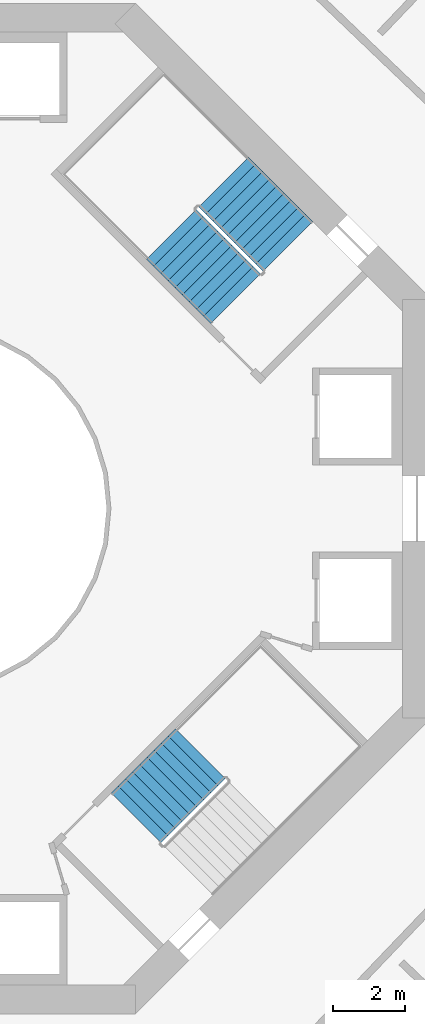
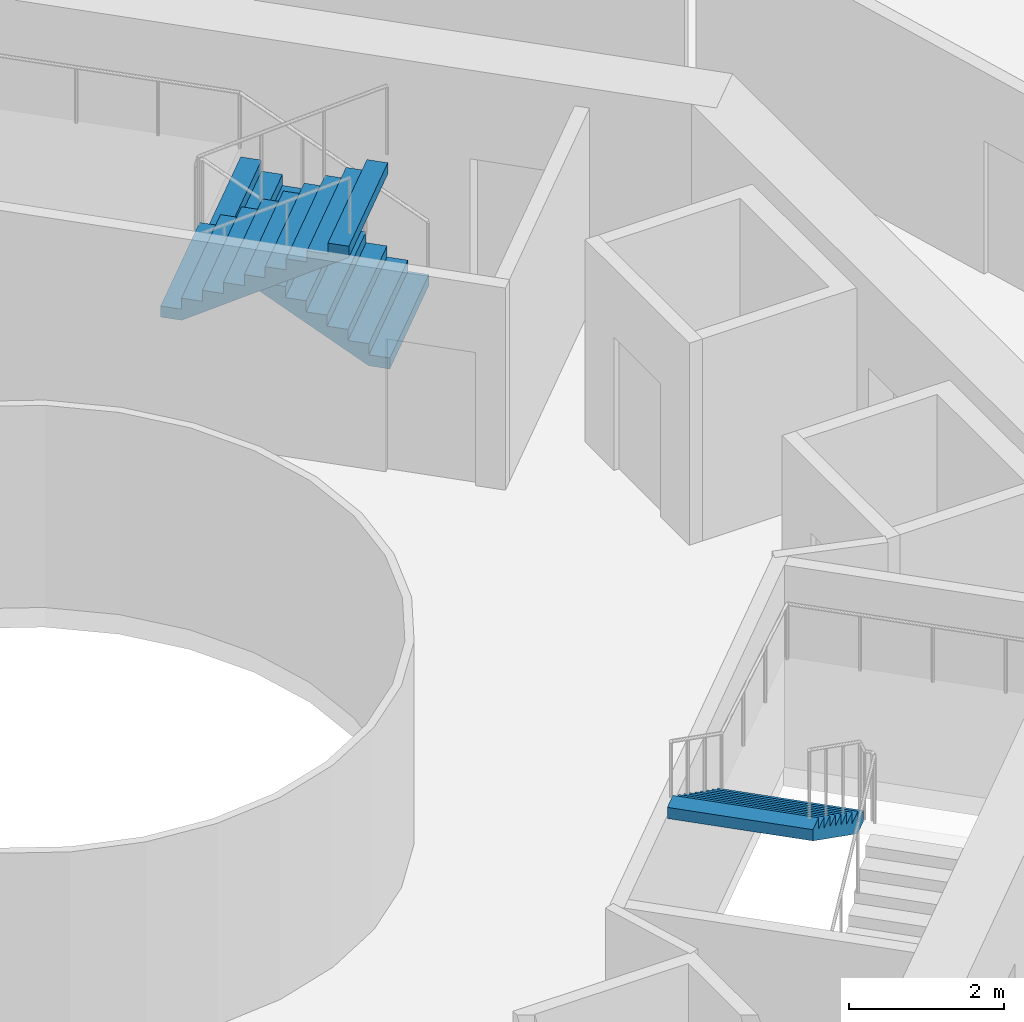
# One storey, part 24 of 25: 3 stair flights, 2 elements without a shape of their own.
"""IFC4 building model written with IfcOpenShell, lengths in metres."""

from ifc_helpers import new_model, si_unit, direction, frame, origin, place, context, subcontext, project, spatial, triangles, material, type_object, element, aggregate, save


model = new_model("IFC4")

# Units and contexts
model_context = context("Model", 3, precision=1e-05, world=origin(), true_north=direction((0.0, 1.0)))
body_context = subcontext(model_context, "Body", "Model", "MODEL_VIEW")
ifc_project = project(units=[si_unit("LENGTHUNIT", "METRE"), si_unit("AREAUNIT", "SQUARE_METRE"), si_unit("VOLUMEUNIT", "CUBIC_METRE"), si_unit("PLANEANGLEUNIT", "RADIAN"), si_unit("MASSUNIT", "GRAM", prefix="KILO")], contexts=[model_context])

# Site, building, storey
site_placement = place(None, origin())
site = spatial("IfcSite", under=ifc_project, at=site_placement, CompositionType="ELEMENT")
building_placement = place(site_placement, origin())
building = spatial("IfcBuilding", under=site, at=building_placement, Name="Verdalira Terraces Hotel", CompositionType="ELEMENT")
storey_placement = place(building_placement, frame((0.0, 0.0, 100.0)))
storey = spatial("IfcBuildingStorey", under=building, at=storey_placement, Name="L23", CompositionType="ELEMENT", Elevation=100.0)

# Stair, stair flights
ifc_material_1 = material(Name="Concrete C40", Category="concrete")
stair_type = type_object("IfcStairType", Name="Core stair 20 risers 1950 mm wide", PredefinedType="HALF_TURN_STAIR", material=ifc_material_1)
stair_1_placement = place(storey_placement, origin())
stair_1 = element("IfcStair", 1, at=stair_1_placement, inside=storey, type_object=stair_type, Name="L23 Exit stair ST1", PredefinedType="HALF_TURN_STAIR")
ifc_material_2 = material(Name="Concrete C40", Category="concrete")
stair_flight_type = type_object("IfcStairFlightType", Name="Core stair flight 20 risers 1950 mm wide", PredefinedType="STRAIGHT", material=ifc_material_2)
stair_flight_1_placement = place(storey_placement, frame((10.023193, 7.265625, 0.0), z_axis=(0.0, 0.0, 1.0), x_axis=(-0.707106781, 0.707106781, 0.0)))
stair_flight_1 = element("IfcStairFlight", 2, at=stair_flight_1_placement, type_object=stair_flight_type, Name="ST1 flight 1", NumberOfRisers=10, NumberOfTreads=9, PredefinedType="STRAIGHT", RiserHeight=0.175, TreadLength=0.28, context=body_context, shape_type="Tessellation", body=[
    triangles([(0.0, 0.974976, 0.0), (0.282715, 0.974976, 0.0), (2.52002, 0.974976, 1.398193), (0.0, -0.974976, 0.0), (0.282715, -0.974976, 0.0), (2.52002, -0.974976, 1.398193), (2.52002, 0.974976, 1.574951), (2.23999, 0.974976, 1.574951), (2.52002, -0.974976, 1.574951), (2.23999, -0.974976, 1.574951), (2.23999, 0.974976, 1.399902), (2.23999, -0.974976, 1.399902), (1.959961, 0.974976, 1.399902), (1.959961, -0.974976, 1.399902), (1.959961, 0.974976, 1.225098), (1.959961, -0.974976, 1.225098), (1.679932, 0.974976, 1.225098), (1.679932, 0.974976, 1.050049), (1.679932, -0.974976, 1.225098), (1.679932, -0.974976, 1.050049), (1.399902, 0.974976, 1.050049), (1.399902, 0.974976, 0.875), (1.399902, -0.974976, 1.050049), (1.399902, -0.974976, 0.875), (1.120117, 0.974976, 0.875), (1.120117, 0.974976, 0.699951), (1.120117, -0.974976, 0.875), (1.120117, -0.974976, 0.699951), (0.840088, 0.974976, 0.699951), (0.840088, 0.974976, 0.524902), (0.840088, -0.974976, 0.699951), (0.840088, -0.974976, 0.524902), (0.560059, 0.974976, 0.524902), (0.560059, 0.974976, 0.350098), (0.560059, -0.974976, 0.524902), (0.560059, -0.974976, 0.350098), (0.280029, 0.974976, 0.350098), (0.280029, 0.974976, 0.175049), (0.280029, -0.974976, 0.350098), (0.280029, -0.974976, 0.175049), (0.0, 0.974976, 0.175049), (0.0, -0.974976, 0.175049), (0.0, -0.91404, 0.0), (0.0, -0.91404, 0.175049), (0.0, -0.853104, 0.0), (0.0, -0.853104, 0.175049), (0.0, -0.792168, 0.0), (0.0, -0.792168, 0.175049), (0.0, -0.731232, 0.0), (0.0, -0.731232, 0.175049), (0.0, -0.670296, 0.0), (0.0, -0.670296, 0.175049), (0.0, -0.60936, 0.0), (0.0, -0.60936, 0.175049), (0.0, -0.548424, 0.0), (0.0, -0.548424, 0.175049), (0.0, -0.487488, 0.0), (0.0, -0.487488, 0.175049), (0.0, -0.426552, 0.0), (0.0, -0.426552, 0.175049), (0.0, -0.365616, 0.0), (0.0, -0.365616, 0.175049), (0.0, -0.30468, 0.0), (0.0, -0.30468, 0.175049), (0.0, -0.243744, 0.0), (0.0, -0.243744, 0.175049), (0.0, -0.182808, 0.0), (0.0, -0.182808, 0.175049), (0.0, -0.121872, 0.0), (0.0, -0.121872, 0.175049), (0.0, -0.060936, 0.0), (0.0, -0.060936, 0.175049), (0.0, 0.0, 0.0), (0.0, 0.0, 0.175049), (0.0, 0.060936, 0.0), (0.0, 0.060936, 0.175049), (0.0, 0.121872, 0.0), (0.0, 0.121872, 0.175049), (0.0, 0.182808, 0.0), (0.0, 0.182808, 0.175049), (0.0, 0.243744, 0.0), (0.0, 0.243744, 0.175049), (0.0, 0.30468, 0.0), (0.0, 0.30468, 0.175049), (0.0, 0.365616, 0.0), (0.0, 0.365616, 0.175049), (0.0, 0.426552, 0.0), (0.0, 0.426552, 0.175049), (0.0, 0.487488, 0.0), (0.0, 0.487488, 0.175049), (0.0, 0.548424, 0.0), (0.0, 0.548424, 0.175049), (0.0, 0.60936, 0.0), (0.0, 0.60936, 0.175049), (0.0, 0.670296, 0.0), (0.0, 0.670296, 0.175049), (0.0, 0.731232, 0.0), (0.0, 0.731232, 0.175049), (0.0, 0.792168, 0.0), (0.0, 0.792168, 0.175049), (0.0, 0.853104, 0.0), (0.0, 0.853104, 0.175049), (0.0, 0.91404, 0.0), (0.0, 0.91404, 0.175049), (2.52002, -0.91404, 1.574951), (2.52002, -0.853104, 1.574951), (2.52002, -0.792168, 1.574951), (2.52002, -0.731232, 1.574951), (2.52002, -0.670296, 1.574951), (2.52002, -0.60936, 1.574951), (2.52002, -0.548424, 1.574951), (2.52002, -0.487488, 1.574951), (2.52002, -0.426552, 1.574951), (2.52002, -0.365616, 1.574951), (2.52002, -0.30468, 1.574951), (2.52002, -0.243744, 1.574951), (2.52002, -0.182808, 1.574951), (2.52002, -0.121872, 1.574951), (2.52002, -0.060936, 1.574951), (2.52002, 0.0, 1.574951), (2.52002, 0.060936, 1.574951), (2.52002, 0.121872, 1.574951), (2.52002, 0.182808, 1.574951), (2.52002, 0.243744, 1.574951), (2.52002, 0.30468, 1.574951), (2.52002, 0.365616, 1.574951), (2.52002, 0.426552, 1.574951), (2.52002, 0.487488, 1.574951), (2.52002, 0.548424, 1.574951), (2.52002, 0.60936, 1.574951), (2.52002, 0.670296, 1.574951), (2.52002, 0.731232, 1.574951), (2.52002, 0.792168, 1.574951), (2.52002, 0.853104, 1.574951), (2.52002, 0.91404, 1.574951), (2.52002, -0.91404, 1.398193), (2.52002, -0.853104, 1.398193), (2.52002, -0.792168, 1.398193), (2.52002, -0.731232, 1.398193), (2.52002, -0.670296, 1.398193), (2.52002, -0.60936, 1.398193), (2.52002, -0.548424, 1.398193), (2.52002, -0.487488, 1.398193), (2.52002, -0.426552, 1.398193), (2.52002, -0.365616, 1.398193), (2.52002, -0.30468, 1.398193), (2.52002, -0.243744, 1.398193), (2.52002, -0.182808, 1.398193), (2.52002, -0.121872, 1.398193), (2.52002, -0.060936, 1.398193), (2.52002, 0.0, 1.398193), (2.52002, 0.060936, 1.398193), (2.52002, 0.121872, 1.398193), (2.52002, 0.182808, 1.398193), (2.52002, 0.243744, 1.398193), (2.52002, 0.30468, 1.398193), (2.52002, 0.365616, 1.398193), (2.52002, 0.426552, 1.398193), (2.52002, 0.487488, 1.398193), (2.52002, 0.548424, 1.398193), (2.52002, 0.60936, 1.398193), (2.52002, 0.670296, 1.398193), (2.52002, 0.731232, 1.398193), (2.52002, 0.792168, 1.398193), (2.52002, 0.853104, 1.398193), (2.52002, 0.91404, 1.398193)], [[1, 3, 2], [4, 5, 6], [3, 8, 7], [6, 9, 10], [3, 11, 8], [6, 10, 12], [3, 13, 11], [6, 12, 14], [3, 15, 13], [6, 14, 16], [15, 18, 17], [16, 19, 20], [3, 18, 15], [6, 16, 20], [18, 22, 21], [20, 23, 24], [3, 22, 18], [6, 20, 24], [22, 26, 25], [24, 27, 28], [3, 26, 22], [6, 24, 28], [26, 30, 29], [28, 31, 32], [3, 30, 26], [6, 28, 32], [1, 30, 3], [4, 6, 32], [30, 34, 33], [32, 35, 36], [34, 38, 37], [36, 39, 40], [30, 38, 34], [32, 36, 40], [1, 38, 30], [4, 32, 40], [38, 1, 41], [40, 42, 4], [4, 44, 43], [4, 42, 44], [43, 46, 45], [43, 44, 46], [45, 48, 47], [45, 46, 48], [47, 50, 49], [47, 48, 50], [49, 52, 51], [49, 50, 52], [51, 54, 53], [51, 52, 54], [53, 56, 55], [53, 54, 56], [55, 58, 57], [55, 56, 58], [57, 60, 59], [57, 58, 60], [59, 62, 61], [59, 60, 62], [61, 64, 63], [61, 62, 64], [63, 66, 65], [63, 64, 66], [65, 68, 67], [65, 66, 68], [67, 70, 69], [67, 68, 70], [69, 72, 71], [69, 70, 72], [71, 74, 73], [71, 72, 74], [73, 76, 75], [73, 74, 76], [75, 78, 77], [75, 76, 78], [77, 80, 79], [77, 78, 80], [79, 82, 81], [79, 80, 82], [81, 84, 83], [81, 82, 84], [83, 86, 85], [83, 84, 86], [85, 88, 87], [85, 86, 88], [87, 90, 89], [87, 88, 90], [89, 92, 91], [89, 90, 92], [91, 94, 93], [91, 92, 94], [93, 96, 95], [93, 94, 96], [95, 98, 97], [95, 96, 98], [97, 100, 99], [97, 98, 100], [99, 102, 101], [99, 100, 102], [101, 104, 103], [101, 102, 104], [103, 41, 1], [103, 104, 41], [42, 40, 44], [44, 40, 46], [46, 40, 48], [48, 40, 50], [50, 40, 52], [52, 40, 54], [54, 40, 56], [56, 40, 58], [58, 40, 60], [60, 40, 62], [62, 40, 64], [64, 40, 66], [66, 40, 68], [68, 40, 70], [70, 40, 72], [72, 40, 74], [74, 40, 76], [76, 40, 78], [78, 40, 80], [80, 40, 82], [82, 40, 84], [84, 40, 86], [86, 40, 88], [88, 40, 90], [90, 40, 92], [92, 40, 94], [94, 40, 96], [96, 40, 98], [98, 40, 100], [100, 40, 102], [102, 40, 104], [104, 40, 41], [41, 40, 38], [40, 37, 38], [40, 39, 37], [39, 34, 37], [39, 36, 34], [36, 33, 34], [36, 35, 33], [35, 30, 33], [35, 32, 30], [32, 29, 30], [32, 31, 29], [31, 26, 29], [31, 28, 26], [28, 25, 26], [28, 27, 25], [27, 22, 25], [27, 24, 22], [24, 21, 22], [24, 23, 21], [23, 18, 21], [23, 20, 18], [20, 17, 18], [20, 19, 17], [19, 15, 17], [19, 16, 15], [16, 13, 15], [16, 14, 13], [14, 11, 13], [14, 12, 11], [12, 8, 11], [12, 10, 8], [9, 105, 10], [105, 106, 10], [106, 107, 10], [107, 108, 10], [108, 109, 10], [109, 110, 10], [110, 111, 10], [111, 112, 10], [112, 113, 10], [113, 114, 10], [114, 115, 10], [115, 116, 10], [116, 117, 10], [117, 118, 10], [118, 119, 10], [119, 120, 10], [120, 121, 10], [121, 122, 10], [122, 123, 10], [123, 124, 10], [124, 125, 10], [125, 126, 10], [126, 127, 10], [127, 128, 10], [128, 129, 10], [129, 130, 10], [130, 131, 10], [131, 132, 10], [132, 133, 10], [133, 134, 10], [134, 135, 10], [135, 7, 10], [7, 8, 10], [9, 136, 105], [9, 6, 136], [105, 137, 106], [105, 136, 137], [106, 138, 107], [106, 137, 138], [107, 139, 108], [107, 138, 139], [108, 140, 109], [108, 139, 140], [109, 141, 110], [109, 140, 141], [110, 142, 111], [110, 141, 142], [111, 143, 112], [111, 142, 143], [112, 144, 113], [112, 143, 144], [113, 145, 114], [113, 144, 145], [114, 146, 115], [114, 145, 146], [115, 147, 116], [115, 146, 147], [116, 148, 117], [116, 147, 148], [117, 149, 118], [117, 148, 149], [118, 150, 119], [118, 149, 150], [119, 151, 120], [119, 150, 151], [120, 152, 121], [120, 151, 152], [121, 153, 122], [121, 152, 153], [122, 154, 123], [122, 153, 154], [123, 155, 124], [123, 154, 155], [124, 156, 125], [124, 155, 156], [125, 157, 126], [125, 156, 157], [126, 158, 127], [126, 157, 158], [127, 159, 128], [127, 158, 159], [128, 160, 129], [128, 159, 160], [129, 161, 130], [129, 160, 161], [130, 162, 131], [130, 161, 162], [131, 163, 132], [131, 162, 163], [132, 164, 133], [132, 163, 164], [133, 165, 134], [133, 164, 165], [134, 166, 135], [134, 165, 166], [135, 3, 7], [135, 166, 3], [6, 5, 136], [136, 5, 137], [137, 5, 138], [138, 5, 139], [139, 5, 140], [140, 5, 141], [141, 5, 142], [142, 5, 143], [143, 5, 144], [144, 5, 145], [145, 5, 146], [146, 5, 147], [147, 5, 148], [148, 5, 149], [149, 5, 150], [150, 5, 151], [151, 5, 152], [152, 5, 153], [153, 5, 154], [154, 5, 155], [155, 5, 156], [156, 5, 157], [157, 5, 158], [158, 5, 159], [159, 5, 160], [160, 5, 161], [161, 5, 162], [162, 5, 163], [163, 5, 164], [164, 5, 165], [165, 5, 166], [166, 5, 3], [3, 5, 2], [4, 43, 5], [43, 45, 5], [45, 47, 5], [47, 49, 5], [49, 51, 5], [51, 53, 5], [53, 55, 5], [55, 57, 5], [57, 59, 5], [59, 61, 5], [61, 63, 5], [63, 65, 5], [65, 67, 5], [67, 69, 5], [69, 71, 5], [71, 73, 5], [73, 75, 5], [75, 77, 5], [77, 79, 5], [79, 81, 5], [81, 83, 5], [83, 85, 5], [85, 87, 5], [87, 89, 5], [89, 91, 5], [91, 93, 5], [93, 95, 5], [95, 97, 5], [97, 99, 5], [99, 101, 5], [101, 103, 5], [103, 1, 5], [1, 2, 5]], closed=True),
])
stair_flight_2_placement = place(storey_placement, frame((6.791748, 7.5979, 1.75), z_axis=(0.0, 0.0, 1.0), x_axis=(0.707106781, -0.707106781, 0.0)))
stair_flight_2 = element("IfcStairFlight", 3, at=stair_flight_2_placement, type_object=stair_flight_type, Name="ST1 flight 2", NumberOfRisers=10, NumberOfTreads=9, PredefinedType="STRAIGHT", RiserHeight=0.175, TreadLength=0.28, context=body_context, shape_type="Tessellation", body=[
    triangles([(0.0, 0.974976, 0.0), (0.282715, 0.974976, 0.0), (2.52002, 0.974976, 1.398193), (0.0, -0.974976, 0.0), (0.282715, -0.974976, 0.0), (2.52002, -0.974976, 1.398193), (2.52002, 0.974976, 1.574951), (2.23999, 0.974976, 1.574951), (2.52002, -0.974976, 1.574951), (2.23999, -0.974976, 1.574951), (2.23999, 0.974976, 1.399902), (2.23999, -0.974976, 1.399902), (1.959961, 0.974976, 1.399902), (1.959961, -0.974976, 1.399902), (1.959961, 0.974976, 1.225098), (1.959961, -0.974976, 1.225098), (1.679932, 0.974976, 1.225098), (1.679932, 0.974976, 1.050049), (1.679932, -0.974976, 1.225098), (1.679932, -0.974976, 1.050049), (1.399902, 0.974976, 1.050049), (1.399902, 0.974976, 0.875), (1.399902, -0.974976, 1.050049), (1.399902, -0.974976, 0.875), (1.120117, 0.974976, 0.875), (1.120117, 0.974976, 0.699951), (1.120117, -0.974976, 0.875), (1.120117, -0.974976, 0.699951), (0.840088, 0.974976, 0.699951), (0.840088, 0.974976, 0.524902), (0.840088, -0.974976, 0.699951), (0.840088, -0.974976, 0.524902), (0.560059, 0.974976, 0.524902), (0.560059, 0.974976, 0.350098), (0.560059, -0.974976, 0.524902), (0.560059, -0.974976, 0.350098), (0.280029, 0.974976, 0.350098), (0.280029, 0.974976, 0.175049), (0.280029, -0.974976, 0.350098), (0.280029, -0.974976, 0.175049), (0.0, 0.974976, 0.175049), (0.0, -0.974976, 0.175049), (0.0, -0.91404, 0.0), (0.0, -0.91404, 0.175049), (0.0, -0.853104, 0.0), (0.0, -0.853104, 0.175049), (0.0, -0.792168, 0.0), (0.0, -0.792168, 0.175049), (0.0, -0.731232, 0.0), (0.0, -0.731232, 0.175049), (0.0, -0.670296, 0.0), (0.0, -0.670296, 0.175049), (0.0, -0.60936, 0.0), (0.0, -0.60936, 0.175049), (0.0, -0.548424, 0.0), (0.0, -0.548424, 0.175049), (0.0, -0.487488, 0.0), (0.0, -0.487488, 0.175049), (0.0, -0.426552, 0.0), (0.0, -0.426552, 0.175049), (0.0, -0.365616, 0.0), (0.0, -0.365616, 0.175049), (0.0, -0.30468, 0.0), (0.0, -0.30468, 0.175049), (0.0, -0.243744, 0.0), (0.0, -0.243744, 0.175049), (0.0, -0.182808, 0.0), (0.0, -0.182808, 0.175049), (0.0, -0.121872, 0.0), (0.0, -0.121872, 0.175049), (0.0, -0.060936, 0.0), (0.0, -0.060936, 0.175049), (0.0, 0.0, 0.0), (0.0, 0.0, 0.175049), (0.0, 0.060936, 0.0), (0.0, 0.060936, 0.175049), (0.0, 0.121872, 0.0), (0.0, 0.121872, 0.175049), (0.0, 0.182808, 0.0), (0.0, 0.182808, 0.175049), (0.0, 0.243744, 0.0), (0.0, 0.243744, 0.175049), (0.0, 0.30468, 0.0), (0.0, 0.30468, 0.175049), (0.0, 0.365616, 0.0), (0.0, 0.365616, 0.175049), (0.0, 0.426552, 0.0), (0.0, 0.426552, 0.175049), (0.0, 0.487488, 0.0), (0.0, 0.487488, 0.175049), (0.0, 0.548424, 0.0), (0.0, 0.548424, 0.175049), (0.0, 0.60936, 0.0), (0.0, 0.60936, 0.175049), (0.0, 0.670296, 0.0), (0.0, 0.670296, 0.175049), (0.0, 0.731232, 0.0), (0.0, 0.731232, 0.175049), (0.0, 0.792168, 0.0), (0.0, 0.792168, 0.175049), (0.0, 0.853104, 0.0), (0.0, 0.853104, 0.175049), (0.0, 0.91404, 0.0), (0.0, 0.91404, 0.175049), (2.52002, -0.91404, 1.574951), (2.52002, -0.853104, 1.574951), (2.52002, -0.792168, 1.574951), (2.52002, -0.731232, 1.574951), (2.52002, -0.670296, 1.574951), (2.52002, -0.60936, 1.574951), (2.52002, -0.548424, 1.574951), (2.52002, -0.487488, 1.574951), (2.52002, -0.426552, 1.574951), (2.52002, -0.365616, 1.574951), (2.52002, -0.30468, 1.574951), (2.52002, -0.243744, 1.574951), (2.52002, -0.182808, 1.574951), (2.52002, -0.121872, 1.574951), (2.52002, -0.060936, 1.574951), (2.52002, 0.0, 1.574951), (2.52002, 0.060936, 1.574951), (2.52002, 0.121872, 1.574951), (2.52002, 0.182808, 1.574951), (2.52002, 0.243744, 1.574951), (2.52002, 0.30468, 1.574951), (2.52002, 0.365616, 1.574951), (2.52002, 0.426552, 1.574951), (2.52002, 0.487488, 1.574951), (2.52002, 0.548424, 1.574951), (2.52002, 0.60936, 1.574951), (2.52002, 0.670296, 1.574951), (2.52002, 0.731232, 1.574951), (2.52002, 0.792168, 1.574951), (2.52002, 0.853104, 1.574951), (2.52002, 0.91404, 1.574951), (2.52002, -0.91404, 1.398193), (2.52002, -0.853104, 1.398193), (2.52002, -0.792168, 1.398193), (2.52002, -0.731232, 1.398193), (2.52002, -0.670296, 1.398193), (2.52002, -0.60936, 1.398193), (2.52002, -0.548424, 1.398193), (2.52002, -0.487488, 1.398193), (2.52002, -0.426552, 1.398193), (2.52002, -0.365616, 1.398193), (2.52002, -0.30468, 1.398193), (2.52002, -0.243744, 1.398193), (2.52002, -0.182808, 1.398193), (2.52002, -0.121872, 1.398193), (2.52002, -0.060936, 1.398193), (2.52002, 0.0, 1.398193), (2.52002, 0.060936, 1.398193), (2.52002, 0.121872, 1.398193), (2.52002, 0.182808, 1.398193), (2.52002, 0.243744, 1.398193), (2.52002, 0.30468, 1.398193), (2.52002, 0.365616, 1.398193), (2.52002, 0.426552, 1.398193), (2.52002, 0.487488, 1.398193), (2.52002, 0.548424, 1.398193), (2.52002, 0.60936, 1.398193), (2.52002, 0.670296, 1.398193), (2.52002, 0.731232, 1.398193), (2.52002, 0.792168, 1.398193), (2.52002, 0.853104, 1.398193), (2.52002, 0.91404, 1.398193)], [[1, 3, 2], [4, 5, 6], [3, 8, 7], [6, 9, 10], [3, 11, 8], [6, 10, 12], [3, 13, 11], [6, 12, 14], [3, 15, 13], [6, 14, 16], [15, 18, 17], [16, 19, 20], [3, 18, 15], [6, 16, 20], [18, 22, 21], [20, 23, 24], [3, 22, 18], [6, 20, 24], [22, 26, 25], [24, 27, 28], [3, 26, 22], [6, 24, 28], [26, 30, 29], [28, 31, 32], [3, 30, 26], [6, 28, 32], [1, 30, 3], [4, 6, 32], [30, 34, 33], [32, 35, 36], [34, 38, 37], [36, 39, 40], [30, 38, 34], [32, 36, 40], [1, 38, 30], [4, 32, 40], [38, 1, 41], [40, 42, 4], [4, 44, 43], [4, 42, 44], [43, 46, 45], [43, 44, 46], [45, 48, 47], [45, 46, 48], [47, 50, 49], [47, 48, 50], [49, 52, 51], [49, 50, 52], [51, 54, 53], [51, 52, 54], [53, 56, 55], [53, 54, 56], [55, 58, 57], [55, 56, 58], [57, 60, 59], [57, 58, 60], [59, 62, 61], [59, 60, 62], [61, 64, 63], [61, 62, 64], [63, 66, 65], [63, 64, 66], [65, 68, 67], [65, 66, 68], [67, 70, 69], [67, 68, 70], [69, 72, 71], [69, 70, 72], [71, 74, 73], [71, 72, 74], [73, 76, 75], [73, 74, 76], [75, 78, 77], [75, 76, 78], [77, 80, 79], [77, 78, 80], [79, 82, 81], [79, 80, 82], [81, 84, 83], [81, 82, 84], [83, 86, 85], [83, 84, 86], [85, 88, 87], [85, 86, 88], [87, 90, 89], [87, 88, 90], [89, 92, 91], [89, 90, 92], [91, 94, 93], [91, 92, 94], [93, 96, 95], [93, 94, 96], [95, 98, 97], [95, 96, 98], [97, 100, 99], [97, 98, 100], [99, 102, 101], [99, 100, 102], [101, 104, 103], [101, 102, 104], [103, 41, 1], [103, 104, 41], [42, 40, 44], [44, 40, 46], [46, 40, 48], [48, 40, 50], [50, 40, 52], [52, 40, 54], [54, 40, 56], [56, 40, 58], [58, 40, 60], [60, 40, 62], [62, 40, 64], [64, 40, 66], [66, 40, 68], [68, 40, 70], [70, 40, 72], [72, 40, 74], [74, 40, 76], [76, 40, 78], [78, 40, 80], [80, 40, 82], [82, 40, 84], [84, 40, 86], [86, 40, 88], [88, 40, 90], [90, 40, 92], [92, 40, 94], [94, 40, 96], [96, 40, 98], [98, 40, 100], [100, 40, 102], [102, 40, 104], [104, 40, 41], [41, 40, 38], [40, 37, 38], [40, 39, 37], [39, 34, 37], [39, 36, 34], [36, 33, 34], [36, 35, 33], [35, 30, 33], [35, 32, 30], [32, 29, 30], [32, 31, 29], [31, 26, 29], [31, 28, 26], [28, 25, 26], [28, 27, 25], [27, 22, 25], [27, 24, 22], [24, 21, 22], [24, 23, 21], [23, 18, 21], [23, 20, 18], [20, 17, 18], [20, 19, 17], [19, 15, 17], [19, 16, 15], [16, 13, 15], [16, 14, 13], [14, 11, 13], [14, 12, 11], [12, 8, 11], [12, 10, 8], [9, 105, 10], [105, 106, 10], [106, 107, 10], [107, 108, 10], [108, 109, 10], [109, 110, 10], [110, 111, 10], [111, 112, 10], [112, 113, 10], [113, 114, 10], [114, 115, 10], [115, 116, 10], [116, 117, 10], [117, 118, 10], [118, 119, 10], [119, 120, 10], [120, 121, 10], [121, 122, 10], [122, 123, 10], [123, 124, 10], [124, 125, 10], [125, 126, 10], [126, 127, 10], [127, 128, 10], [128, 129, 10], [129, 130, 10], [130, 131, 10], [131, 132, 10], [132, 133, 10], [133, 134, 10], [134, 135, 10], [135, 7, 10], [7, 8, 10], [9, 136, 105], [9, 6, 136], [105, 137, 106], [105, 136, 137], [106, 138, 107], [106, 137, 138], [107, 139, 108], [107, 138, 139], [108, 140, 109], [108, 139, 140], [109, 141, 110], [109, 140, 141], [110, 142, 111], [110, 141, 142], [111, 143, 112], [111, 142, 143], [112, 144, 113], [112, 143, 144], [113, 145, 114], [113, 144, 145], [114, 146, 115], [114, 145, 146], [115, 147, 116], [115, 146, 147], [116, 148, 117], [116, 147, 148], [117, 149, 118], [117, 148, 149], [118, 150, 119], [118, 149, 150], [119, 151, 120], [119, 150, 151], [120, 152, 121], [120, 151, 152], [121, 153, 122], [121, 152, 153], [122, 154, 123], [122, 153, 154], [123, 155, 124], [123, 154, 155], [124, 156, 125], [124, 155, 156], [125, 157, 126], [125, 156, 157], [126, 158, 127], [126, 157, 158], [127, 159, 128], [127, 158, 159], [128, 160, 129], [128, 159, 160], [129, 161, 130], [129, 160, 161], [130, 162, 131], [130, 161, 162], [131, 163, 132], [131, 162, 163], [132, 164, 133], [132, 163, 164], [133, 165, 134], [133, 164, 165], [134, 166, 135], [134, 165, 166], [135, 3, 7], [135, 166, 3], [6, 5, 136], [136, 5, 137], [137, 5, 138], [138, 5, 139], [139, 5, 140], [140, 5, 141], [141, 5, 142], [142, 5, 143], [143, 5, 144], [144, 5, 145], [145, 5, 146], [146, 5, 147], [147, 5, 148], [148, 5, 149], [149, 5, 150], [150, 5, 151], [151, 5, 152], [152, 5, 153], [153, 5, 154], [154, 5, 155], [155, 5, 156], [156, 5, 157], [157, 5, 158], [158, 5, 159], [159, 5, 160], [160, 5, 161], [161, 5, 162], [162, 5, 163], [163, 5, 164], [164, 5, 165], [165, 5, 166], [166, 5, 3], [3, 5, 2], [4, 43, 5], [43, 45, 5], [45, 47, 5], [47, 49, 5], [49, 51, 5], [51, 53, 5], [53, 55, 5], [55, 57, 5], [57, 59, 5], [59, 61, 5], [61, 63, 5], [63, 65, 5], [65, 67, 5], [67, 69, 5], [69, 71, 5], [71, 73, 5], [73, 75, 5], [75, 77, 5], [77, 79, 5], [79, 81, 5], [81, 83, 5], [83, 85, 5], [85, 87, 5], [87, 89, 5], [89, 91, 5], [91, 93, 5], [93, 95, 5], [95, 97, 5], [97, 99, 5], [99, 101, 5], [101, 103, 5], [103, 1, 5], [1, 2, 5]], closed=True),
])
aggregate(stair_1, [stair_flight_1, stair_flight_2])

# Stair, stair flight
stair_2_placement = place(storey_placement, origin())
stair_2 = element("IfcStair", 4, at=stair_2_placement, inside=storey, type_object=stair_type, Name="L23 Exit stair ST3", PredefinedType="HALF_TURN_STAIR")
stair_flight_3_placement = place(storey_placement, frame((7.5979, -6.791748, 1.75), z_axis=(0.0, 0.0, 1.0), x_axis=(-0.707106781, -0.707106781, 0.0)))
stair_flight_3 = element("IfcStairFlight", 5, at=stair_flight_3_placement, type_object=stair_flight_type, Name="ST3 flight 2", NumberOfRisers=10, NumberOfTreads=9, PredefinedType="STRAIGHT", RiserHeight=0.175, TreadLength=0.28, context=body_context, shape_type="Tessellation", body=[
    triangles([(0.0, 0.974976, 0.0), (0.282715, 0.974976, 0.0), (2.52002, 0.974976, 1.398193), (0.0, -0.974976, 0.0), (0.282715, -0.974976, 0.0), (2.52002, -0.974976, 1.398193), (2.52002, 0.974976, 1.574951), (2.23999, 0.974976, 1.574951), (2.52002, -0.974976, 1.574951), (2.23999, -0.974976, 1.574951), (2.23999, 0.974976, 1.399902), (2.23999, -0.974976, 1.399902), (1.959961, 0.974976, 1.399902), (1.959961, -0.974976, 1.399902), (1.959961, 0.974976, 1.225098), (1.959961, -0.974976, 1.225098), (1.679932, 0.974976, 1.225098), (1.679932, 0.974976, 1.050049), (1.679932, -0.974976, 1.225098), (1.679932, -0.974976, 1.050049), (1.399902, 0.974976, 1.050049), (1.399902, 0.974976, 0.875), (1.399902, -0.974976, 1.050049), (1.399902, -0.974976, 0.875), (1.120117, 0.974976, 0.875), (1.120117, 0.974976, 0.699951), (1.120117, -0.974976, 0.875), (1.120117, -0.974976, 0.699951), (0.840088, 0.974976, 0.699951), (0.840088, 0.974976, 0.524902), (0.840088, -0.974976, 0.699951), (0.840088, -0.974976, 0.524902), (0.560059, 0.974976, 0.524902), (0.560059, 0.974976, 0.350098), (0.560059, -0.974976, 0.524902), (0.560059, -0.974976, 0.350098), (0.280029, 0.974976, 0.350098), (0.280029, 0.974976, 0.175049), (0.280029, -0.974976, 0.350098), (0.280029, -0.974976, 0.175049), (0.0, 0.974976, 0.175049), (0.0, -0.974976, 0.175049), (0.0, -0.91404, 0.0), (0.0, -0.91404, 0.175049), (0.0, -0.853104, 0.0), (0.0, -0.853104, 0.175049), (0.0, -0.792168, 0.0), (0.0, -0.792168, 0.175049), (0.0, -0.731232, 0.0), (0.0, -0.731232, 0.175049), (0.0, -0.670296, 0.0), (0.0, -0.670296, 0.175049), (0.0, -0.60936, 0.0), (0.0, -0.60936, 0.175049), (0.0, -0.548424, 0.0), (0.0, -0.548424, 0.175049), (0.0, -0.487488, 0.0), (0.0, -0.487488, 0.175049), (0.0, -0.426552, 0.0), (0.0, -0.426552, 0.175049), (0.0, -0.365616, 0.0), (0.0, -0.365616, 0.175049), (0.0, -0.30468, 0.0), (0.0, -0.30468, 0.175049), (0.0, -0.243744, 0.0), (0.0, -0.243744, 0.175049), (0.0, -0.182808, 0.0), (0.0, -0.182808, 0.175049), (0.0, -0.121872, 0.0), (0.0, -0.121872, 0.175049), (0.0, -0.060936, 0.0), (0.0, -0.060936, 0.175049), (0.0, 0.0, 0.0), (0.0, 0.0, 0.175049), (0.0, 0.060936, 0.0), (0.0, 0.060936, 0.175049), (0.0, 0.121872, 0.0), (0.0, 0.121872, 0.175049), (0.0, 0.182808, 0.0), (0.0, 0.182808, 0.175049), (0.0, 0.243744, 0.0), (0.0, 0.243744, 0.175049), (0.0, 0.30468, 0.0), (0.0, 0.30468, 0.175049), (0.0, 0.365616, 0.0), (0.0, 0.365616, 0.175049), (0.0, 0.426552, 0.0), (0.0, 0.426552, 0.175049), (0.0, 0.487488, 0.0), (0.0, 0.487488, 0.175049), (0.0, 0.548424, 0.0), (0.0, 0.548424, 0.175049), (0.0, 0.60936, 0.0), (0.0, 0.60936, 0.175049), (0.0, 0.670296, 0.0), (0.0, 0.670296, 0.175049), (0.0, 0.731232, 0.0), (0.0, 0.731232, 0.175049), (0.0, 0.792168, 0.0), (0.0, 0.792168, 0.175049), (0.0, 0.853104, 0.0), (0.0, 0.853104, 0.175049), (0.0, 0.91404, 0.0), (0.0, 0.91404, 0.175049), (2.52002, -0.91404, 1.574951), (2.52002, -0.853104, 1.574951), (2.52002, -0.792168, 1.574951), (2.52002, -0.731232, 1.574951), (2.52002, -0.670296, 1.574951), (2.52002, -0.60936, 1.574951), (2.52002, -0.548424, 1.574951), (2.52002, -0.487488, 1.574951), (2.52002, -0.426552, 1.574951), (2.52002, -0.365616, 1.574951), (2.52002, -0.30468, 1.574951), (2.52002, -0.243744, 1.574951), (2.52002, -0.182808, 1.574951), (2.52002, -0.121872, 1.574951), (2.52002, -0.060936, 1.574951), (2.52002, 0.0, 1.574951), (2.52002, 0.060936, 1.574951), (2.52002, 0.121872, 1.574951), (2.52002, 0.182808, 1.574951), (2.52002, 0.243744, 1.574951), (2.52002, 0.30468, 1.574951), (2.52002, 0.365616, 1.574951), (2.52002, 0.426552, 1.574951), (2.52002, 0.487488, 1.574951), (2.52002, 0.548424, 1.574951), (2.52002, 0.60936, 1.574951), (2.52002, 0.670296, 1.574951), (2.52002, 0.731232, 1.574951), (2.52002, 0.792168, 1.574951), (2.52002, 0.853104, 1.574951), (2.52002, 0.91404, 1.574951), (2.52002, -0.91404, 1.398193), (2.52002, -0.853104, 1.398193), (2.52002, -0.792168, 1.398193), (2.52002, -0.731232, 1.398193), (2.52002, -0.670296, 1.398193), (2.52002, -0.60936, 1.398193), (2.52002, -0.548424, 1.398193), (2.52002, -0.487488, 1.398193), (2.52002, -0.426552, 1.398193), (2.52002, -0.365616, 1.398193), (2.52002, -0.30468, 1.398193), (2.52002, -0.243744, 1.398193), (2.52002, -0.182808, 1.398193), (2.52002, -0.121872, 1.398193), (2.52002, -0.060936, 1.398193), (2.52002, 0.0, 1.398193), (2.52002, 0.060936, 1.398193), (2.52002, 0.121872, 1.398193), (2.52002, 0.182808, 1.398193), (2.52002, 0.243744, 1.398193), (2.52002, 0.30468, 1.398193), (2.52002, 0.365616, 1.398193), (2.52002, 0.426552, 1.398193), (2.52002, 0.487488, 1.398193), (2.52002, 0.548424, 1.398193), (2.52002, 0.60936, 1.398193), (2.52002, 0.670296, 1.398193), (2.52002, 0.731232, 1.398193), (2.52002, 0.792168, 1.398193), (2.52002, 0.853104, 1.398193), (2.52002, 0.91404, 1.398193)], [[1, 3, 2], [4, 5, 6], [3, 8, 7], [6, 9, 10], [3, 11, 8], [6, 10, 12], [3, 13, 11], [6, 12, 14], [3, 15, 13], [6, 14, 16], [15, 18, 17], [16, 19, 20], [3, 18, 15], [6, 16, 20], [18, 22, 21], [20, 23, 24], [3, 22, 18], [6, 20, 24], [22, 26, 25], [24, 27, 28], [3, 26, 22], [6, 24, 28], [26, 30, 29], [28, 31, 32], [3, 30, 26], [6, 28, 32], [1, 30, 3], [4, 6, 32], [30, 34, 33], [32, 35, 36], [34, 38, 37], [36, 39, 40], [30, 38, 34], [32, 36, 40], [1, 38, 30], [4, 32, 40], [38, 1, 41], [40, 42, 4], [4, 44, 43], [4, 42, 44], [43, 46, 45], [43, 44, 46], [45, 48, 47], [45, 46, 48], [47, 50, 49], [47, 48, 50], [49, 52, 51], [49, 50, 52], [51, 54, 53], [51, 52, 54], [53, 56, 55], [53, 54, 56], [55, 58, 57], [55, 56, 58], [57, 60, 59], [57, 58, 60], [59, 62, 61], [59, 60, 62], [61, 64, 63], [61, 62, 64], [63, 66, 65], [63, 64, 66], [65, 68, 67], [65, 66, 68], [67, 70, 69], [67, 68, 70], [69, 72, 71], [69, 70, 72], [71, 74, 73], [71, 72, 74], [73, 76, 75], [73, 74, 76], [75, 78, 77], [75, 76, 78], [77, 80, 79], [77, 78, 80], [79, 82, 81], [79, 80, 82], [81, 84, 83], [81, 82, 84], [83, 86, 85], [83, 84, 86], [85, 88, 87], [85, 86, 88], [87, 90, 89], [87, 88, 90], [89, 92, 91], [89, 90, 92], [91, 94, 93], [91, 92, 94], [93, 96, 95], [93, 94, 96], [95, 98, 97], [95, 96, 98], [97, 100, 99], [97, 98, 100], [99, 102, 101], [99, 100, 102], [101, 104, 103], [101, 102, 104], [103, 41, 1], [103, 104, 41], [42, 40, 44], [44, 40, 46], [46, 40, 48], [48, 40, 50], [50, 40, 52], [52, 40, 54], [54, 40, 56], [56, 40, 58], [58, 40, 60], [60, 40, 62], [62, 40, 64], [64, 40, 66], [66, 40, 68], [68, 40, 70], [70, 40, 72], [72, 40, 74], [74, 40, 76], [76, 40, 78], [78, 40, 80], [80, 40, 82], [82, 40, 84], [84, 40, 86], [86, 40, 88], [88, 40, 90], [90, 40, 92], [92, 40, 94], [94, 40, 96], [96, 40, 98], [98, 40, 100], [100, 40, 102], [102, 40, 104], [104, 40, 41], [41, 40, 38], [40, 37, 38], [40, 39, 37], [39, 34, 37], [39, 36, 34], [36, 33, 34], [36, 35, 33], [35, 30, 33], [35, 32, 30], [32, 29, 30], [32, 31, 29], [31, 26, 29], [31, 28, 26], [28, 25, 26], [28, 27, 25], [27, 22, 25], [27, 24, 22], [24, 21, 22], [24, 23, 21], [23, 18, 21], [23, 20, 18], [20, 17, 18], [20, 19, 17], [19, 15, 17], [19, 16, 15], [16, 13, 15], [16, 14, 13], [14, 11, 13], [14, 12, 11], [12, 8, 11], [12, 10, 8], [9, 105, 10], [105, 106, 10], [106, 107, 10], [107, 108, 10], [108, 109, 10], [109, 110, 10], [110, 111, 10], [111, 112, 10], [112, 113, 10], [113, 114, 10], [114, 115, 10], [115, 116, 10], [116, 117, 10], [117, 118, 10], [118, 119, 10], [119, 120, 10], [120, 121, 10], [121, 122, 10], [122, 123, 10], [123, 124, 10], [124, 125, 10], [125, 126, 10], [126, 127, 10], [127, 128, 10], [128, 129, 10], [129, 130, 10], [130, 131, 10], [131, 132, 10], [132, 133, 10], [133, 134, 10], [134, 135, 10], [135, 7, 10], [7, 8, 10], [9, 136, 105], [9, 6, 136], [105, 137, 106], [105, 136, 137], [106, 138, 107], [106, 137, 138], [107, 139, 108], [107, 138, 139], [108, 140, 109], [108, 139, 140], [109, 141, 110], [109, 140, 141], [110, 142, 111], [110, 141, 142], [111, 143, 112], [111, 142, 143], [112, 144, 113], [112, 143, 144], [113, 145, 114], [113, 144, 145], [114, 146, 115], [114, 145, 146], [115, 147, 116], [115, 146, 147], [116, 148, 117], [116, 147, 148], [117, 149, 118], [117, 148, 149], [118, 150, 119], [118, 149, 150], [119, 151, 120], [119, 150, 151], [120, 152, 121], [120, 151, 152], [121, 153, 122], [121, 152, 153], [122, 154, 123], [122, 153, 154], [123, 155, 124], [123, 154, 155], [124, 156, 125], [124, 155, 156], [125, 157, 126], [125, 156, 157], [126, 158, 127], [126, 157, 158], [127, 159, 128], [127, 158, 159], [128, 160, 129], [128, 159, 160], [129, 161, 130], [129, 160, 161], [130, 162, 131], [130, 161, 162], [131, 163, 132], [131, 162, 163], [132, 164, 133], [132, 163, 164], [133, 165, 134], [133, 164, 165], [134, 166, 135], [134, 165, 166], [135, 3, 7], [135, 166, 3], [6, 5, 136], [136, 5, 137], [137, 5, 138], [138, 5, 139], [139, 5, 140], [140, 5, 141], [141, 5, 142], [142, 5, 143], [143, 5, 144], [144, 5, 145], [145, 5, 146], [146, 5, 147], [147, 5, 148], [148, 5, 149], [149, 5, 150], [150, 5, 151], [151, 5, 152], [152, 5, 153], [153, 5, 154], [154, 5, 155], [155, 5, 156], [156, 5, 157], [157, 5, 158], [158, 5, 159], [159, 5, 160], [160, 5, 161], [161, 5, 162], [162, 5, 163], [163, 5, 164], [164, 5, 165], [165, 5, 166], [166, 5, 3], [3, 5, 2], [4, 43, 5], [43, 45, 5], [45, 47, 5], [47, 49, 5], [49, 51, 5], [51, 53, 5], [53, 55, 5], [55, 57, 5], [57, 59, 5], [59, 61, 5], [61, 63, 5], [63, 65, 5], [65, 67, 5], [67, 69, 5], [69, 71, 5], [71, 73, 5], [73, 75, 5], [75, 77, 5], [77, 79, 5], [79, 81, 5], [81, 83, 5], [83, 85, 5], [85, 87, 5], [87, 89, 5], [89, 91, 5], [91, 93, 5], [93, 95, 5], [95, 97, 5], [97, 99, 5], [99, 101, 5], [101, 103, 5], [103, 1, 5], [1, 2, 5]], closed=True),
])
aggregate(stair_2, [stair_flight_3])

save(model, "model.ifc")
